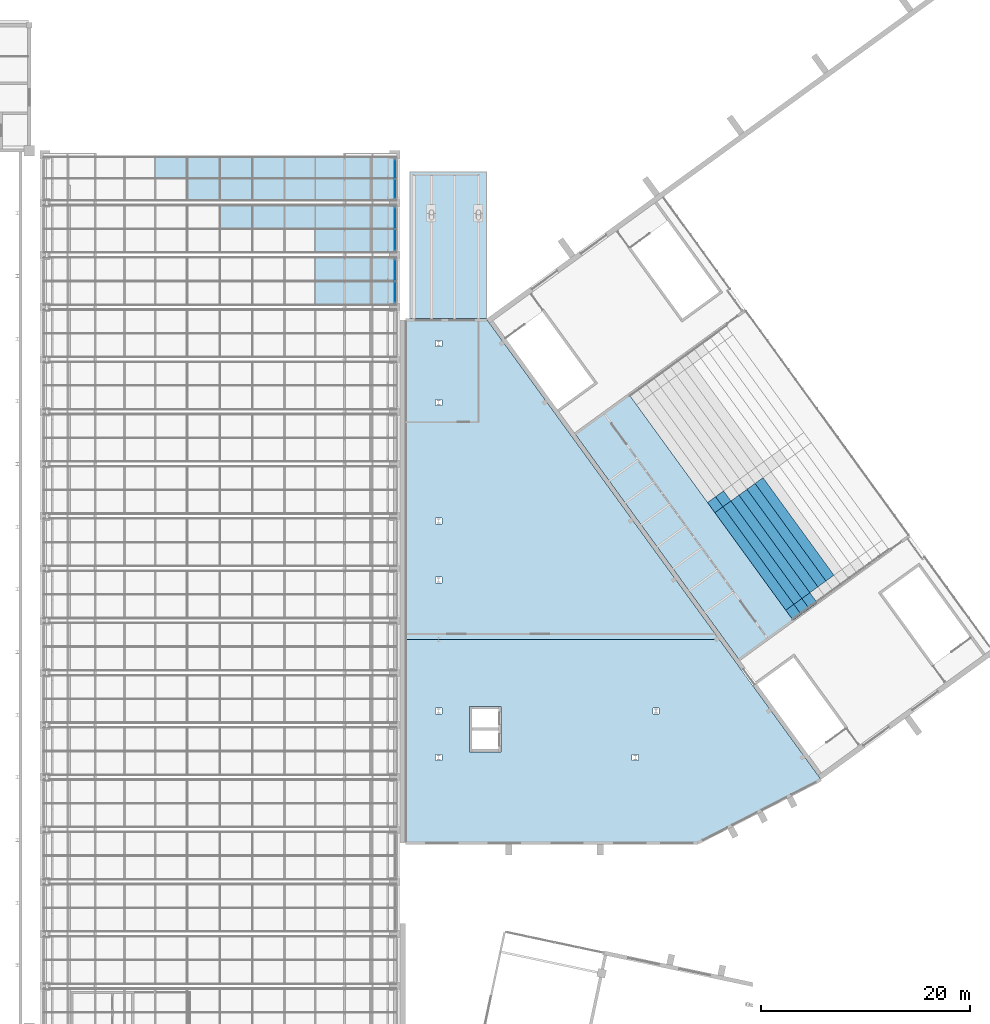
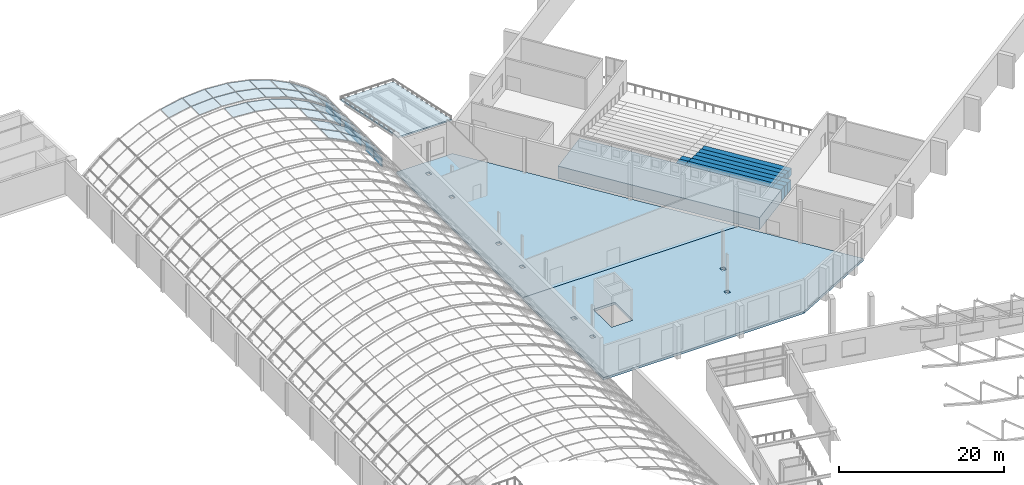
# One storey, part 117 of 182: 36 plates, 15 slabs, 6 elements without a shape of their own.
"""IFC4 building model written with IfcOpenShell, lengths in metres."""

from ifc_helpers import new_model, si_unit, direction, frame, origin, origin_2d, place, context, subcontext, project, spatial, polyline, rectangle, outline, extrude, material, layer, layer_set, type_object, element, aggregate, save


model = new_model("IFC4")

# Units and contexts
model_context = context("Model", 3, precision=1e-05, world=origin(), true_north=direction((0.0, 1.0)))
body_context = subcontext(model_context, "Body", "Model", "MODEL_VIEW")
ifc_project = project(units=[si_unit("LENGTHUNIT", "METRE"), si_unit("AREAUNIT", "SQUARE_METRE"), si_unit("VOLUMEUNIT", "CUBIC_METRE"), si_unit("PLANEANGLEUNIT", "RADIAN"), si_unit("MASSUNIT", "GRAM", prefix="KILO")], contexts=[model_context])

# Site, building, storey
site_placement = place(None, origin())
site = spatial("IfcSite", under=ifc_project, at=site_placement, CompositionType="ELEMENT")
building_placement = place(site_placement, origin())
building = spatial("IfcBuilding", under=site, at=building_placement, Name="Okhra Congress Centre", CompositionType="ELEMENT")
storey_placement = place(building_placement, frame((0.0, 0.0, 7.199951171875)))
storey = spatial("IfcBuildingStorey", under=building, at=storey_placement, Name="L01", CompositionType="ELEMENT", Elevation=7.199951171875)

# Curtain wall, plates
ifc_material_1 = material(Name="Aluminium curtain wall, triple glazing", Category="aluminium")
curtain_wall_type_1 = type_object("IfcCurtainWallType", Name="Curtain wall 2100 module", PredefinedType="NOTDEFINED", material=ifc_material_1)
curtain_wall_1_placement = place(storey_placement, origin())
curtain_wall_1 = element("IfcCurtainWall", 1, at=curtain_wall_1_placement, inside=storey, type_object=curtain_wall_type_1, Name="East bay 7 clerestory glazing", PredefinedType="NOTDEFINED")
ifc_material_2 = material(Name="Triple glazing unit, low-e coating, argon fill", Category="glass")
ifc_layer_1 = layer(ifc_material_2, 0.028076171875)
ifc_layer_set_1 = layer_set([ifc_layer_1], Name="Curtain wall glazing unit 28")
plate_type_1 = type_object("IfcPlateType", Name="Curtain wall glazing unit 28", PredefinedType="CURTAIN_PANEL", material=ifc_layer_set_1)
plate_1_placement = place(storey_placement, frame((189.0, 202.465087890625, 0.06005859375), z_axis=(0.0, 0.0, 1.0), x_axis=(0.0, 1.0, 0.0)))
plate_1 = element("IfcPlate", 2, at=plate_1_placement, type_object=plate_type_1, Name="CW4 panel 1.1", PredefinedType="CURTAIN_PANEL", context=body_context, shape_type="SweptSolid", body=[
    extrude(rectangle(XDim=2.010009765625, YDim=0.028076171875, at=origin_2d()), origin(), (0.0, 0.0, 1.0), 1.3798828125),
])
plate_2_placement = place(storey_placement, frame((189.0, 204.534912109375, 0.06005859375), z_axis=(0.0, 0.0, 1.0), x_axis=(0.0, 1.0, 0.0)))
plate_2 = element("IfcPlate", 3, at=plate_2_placement, type_object=plate_type_1, Name="CW4 panel 2.1", PredefinedType="CURTAIN_PANEL", context=body_context, shape_type="SweptSolid", body=[
    extrude(rectangle(XDim=2.010009765625, YDim=0.028076171875, at=origin_2d()), origin(), (0.0, 0.0, 1.0), 1.3798828125),
])
aggregate(curtain_wall_1, [plate_1, plate_2])

curtain_wall_2_placement = place(storey_placement, origin())
curtain_wall_2 = element("IfcCurtainWall", 4, at=curtain_wall_2_placement, inside=storey, type_object=curtain_wall_type_1, Name="East bay 8 clerestory glazing", PredefinedType="NOTDEFINED")
plate_3_placement = place(storey_placement, frame((189.0, 207.465087890625, 0.06005859375), z_axis=(0.0, 0.0, 1.0), x_axis=(0.0, 1.0, 0.0)))
plate_3 = element("IfcPlate", 5, at=plate_3_placement, type_object=plate_type_1, Name="CW4 panel 1.1", PredefinedType="CURTAIN_PANEL", context=body_context, shape_type="SweptSolid", body=[
    extrude(rectangle(XDim=2.010009765625, YDim=0.028076171875, at=origin_2d()), origin(), (0.0, 0.0, 1.0), 1.3798828125),
])
plate_4_placement = place(storey_placement, frame((189.0, 209.534912109375, 0.06005859375), z_axis=(0.0, 0.0, 1.0), x_axis=(0.0, 1.0, 0.0)))
plate_4 = element("IfcPlate", 6, at=plate_4_placement, type_object=plate_type_1, Name="CW4 panel 2.1", PredefinedType="CURTAIN_PANEL", context=body_context, shape_type="SweptSolid", body=[
    extrude(rectangle(XDim=2.010009765625, YDim=0.028076171875, at=origin_2d()), origin(), (0.0, 0.0, 1.0), 1.3798828125),
])
aggregate(curtain_wall_2, [plate_3, plate_4])

curtain_wall_3_placement = place(storey_placement, origin())
curtain_wall_3 = element("IfcCurtainWall", 7, at=curtain_wall_3_placement, inside=storey, type_object=curtain_wall_type_1, Name="East bay 9 clerestory glazing", PredefinedType="NOTDEFINED")
plate_5_placement = place(storey_placement, frame((189.0, 212.364990234375, 0.06005859375), z_axis=(0.0, 0.0, 1.0), x_axis=(0.0, 1.0, 0.0)))
plate_5 = element("IfcPlate", 8, at=plate_5_placement, type_object=plate_type_1, Name="CW4 panel 1.1", PredefinedType="CURTAIN_PANEL", context=body_context, shape_type="SweptSolid", body=[
    extrude(rectangle(XDim=1.81005859375, YDim=0.028076171875, at=origin_2d()), origin(), (0.0, 0.0, 1.0), 1.3798828125),
])
plate_6_placement = place(storey_placement, frame((189.0, 214.235107421875, 0.06005859375), z_axis=(0.0, 0.0, 1.0), x_axis=(0.0, 1.0, 0.0)))
plate_6 = element("IfcPlate", 9, at=plate_6_placement, type_object=plate_type_1, Name="CW4 panel 2.1", PredefinedType="CURTAIN_PANEL", context=body_context, shape_type="SweptSolid", body=[
    extrude(rectangle(XDim=1.81005859375, YDim=0.028076171875, at=origin_2d()), origin(), (0.0, 0.0, 1.0), 1.3798828125),
])
aggregate(curtain_wall_3, [plate_5, plate_6])

# Slab
ifc_material_3 = material(Name="Insulated metal roof panel (mineral wool core), standing seam")
ifc_layer_2 = layer(ifc_material_3, 0.199951171875)
ifc_layer_set_2 = layer_set([ifc_layer_2], Name="Insulated roof panel 200")
slab_type_1 = type_object("IfcSlabType", Name="Insulated roof panel 200", PredefinedType="ROOF", material=ifc_layer_set_2)
slab_1_placement = place(storey_placement, frame((190.39990234375, 199.93994140625, 4.96826171875), z_axis=(0.0, 0.207909539471, 0.978148058014), x_axis=(1.0, 0.0, 0.0)))
element("IfcSlab", 10, at=slab_1_placement, inside=storey, type_object=slab_type_1, Name="North canopy roof plane", PredefinedType="ROOF", context=body_context, shape_type="SweptSolid", body=[
    extrude(outline(polyline([(0.0, 0.0), (7.400146484375, 0.0), (7.400146484375, 14.374161946704701), (0.0, 14.374161946704701), (0.0, 0.0)])), origin(), (0.0, 0.0, -1.0), 0.199951171875),
])

# Curtain wall, plates
ifc_material_4 = material(Name="Aluminium frame with triple glazing", Category="aluminium")
curtain_wall_type_2 = type_object("IfcCurtainWallType", Name="Glazed vault bay curtain wall", PredefinedType="NOTDEFINED", material=ifc_material_4)
curtain_wall_4_placement = place(storey_placement, origin())
curtain_wall_4 = element("IfcCurtainWall", 11, at=curtain_wall_4_placement, inside=storey, type_object=curtain_wall_type_2, Name="Vault glazing bay 26", PredefinedType="NOTDEFINED")
ifc_material_5 = material(Name="Laminated toughened glass unit, low-e coating", Category="glass")
ifc_layer_3 = layer(ifc_material_5, 0.035888671875)
ifc_layer_set_3 = layer_set([ifc_layer_3], Name="Laminated safety glazing unit 36 mm")
plate_type_2 = type_object("IfcPlateType", Name="Laminated safety glazing unit 36 mm", PredefinedType="CURTAIN_PANEL", material=ifc_layer_set_3)
plate_7_placement = place(storey_placement, frame((184.217529296875, 201.26318359375, 5.729248046875), z_axis=(0.55946738617, 0.0, 0.82885236551), x_axis=(0.82885236551, 0.0, -0.55946738617)))
plate_7 = element("IfcPlate", 12, at=plate_7_placement, type_object=plate_type_2, Name="Vault glass panel 26.1.11", PredefinedType="CURTAIN_PANEL", context=body_context, shape_type="SweptSolid", body=[
    extrude(outline(polyline([(0.0, 0.0), (3.0668817430899797, 0.0), (3.0668817430899797, 2.206787109375), (0.0, 2.206787109375), (0.0, 0.0)])), origin(), (0.0, 0.0, -1.0), 0.035888671875),
])
plate_8_placement = place(storey_placement, frame((186.806640625, 201.26318359375, 3.976806640625), z_axis=(0.663696509452, 0.0, 0.748001967472), x_axis=(0.748001967472, 0.0, -0.663696509452)))
plate_8 = element("IfcPlate", 13, at=plate_8_placement, type_object=plate_type_2, Name="Vault glass panel 26.1.12", PredefinedType="CURTAIN_PANEL", context=body_context, shape_type="SweptSolid", body=[
    extrude(outline(polyline([(0.0, 0.0), (3.066763741617069, 0.0), (3.066763741617069, 2.206787109375), (0.0, 2.206787109375), (0.0, 0.0)])), origin(), (0.0, 0.0, -1.0), 0.035888671875),
])
plate_9_placement = place(storey_placement, frame((184.217529296875, 203.530029296875, 5.729248046875), z_axis=(0.55946738617, 0.0, 0.82885236551), x_axis=(0.82885236551, 0.0, -0.55946738617)))
plate_9 = element("IfcPlate", 14, at=plate_9_placement, type_object=plate_type_2, Name="Vault glass panel 26.2.11", PredefinedType="CURTAIN_PANEL", context=body_context, shape_type="SweptSolid", body=[
    extrude(outline(polyline([(0.0, 0.0), (3.0668817430899797, 0.0), (3.0668817430899797, 2.206787109375), (0.0, 2.206787109375), (0.0, 0.0)])), origin(), (0.0, 0.0, -1.0), 0.035888671875),
])
plate_10_placement = place(storey_placement, frame((186.806640625, 203.530029296875, 3.976806640625), z_axis=(0.663696509452, 0.0, 0.748001967472), x_axis=(0.748001967472, 0.0, -0.663696509452)))
plate_10 = element("IfcPlate", 15, at=plate_10_placement, type_object=plate_type_2, Name="Vault glass panel 26.2.12", PredefinedType="CURTAIN_PANEL", context=body_context, shape_type="SweptSolid", body=[
    extrude(outline(polyline([(0.0, 0.0), (3.066763741617069, 0.0), (3.066763741617069, 2.206787109375), (0.0, 2.206787109375), (0.0, 0.0)])), origin(), (0.0, 0.0, -1.0), 0.035888671875),
])

curtain_wall_5_placement = place(storey_placement, origin())
curtain_wall_5 = element("IfcCurtainWall", 16, at=curtain_wall_5_placement, inside=storey, type_object=curtain_wall_type_2, Name="Vault glazing bay 27", PredefinedType="NOTDEFINED")
plate_11_placement = place(storey_placement, frame((184.217529296875, 206.26318359375, 5.729248046875), z_axis=(0.55946738617, 0.0, 0.82885236551), x_axis=(0.82885236551, 0.0, -0.55946738617)))
plate_11 = element("IfcPlate", 17, at=plate_11_placement, type_object=plate_type_2, Name="Vault glass panel 27.1.11", PredefinedType="CURTAIN_PANEL", context=body_context, shape_type="SweptSolid", body=[
    extrude(outline(polyline([(0.0, 0.0), (3.0668817430899797, 0.0), (3.0668817430899797, 2.206787109375), (0.0, 2.206787109375), (0.0, 0.0)])), origin(), (0.0, 0.0, -1.0), 0.035888671875),
])
plate_12_placement = place(storey_placement, frame((186.806640625, 206.26318359375, 3.976806640625), z_axis=(0.663696509452, 0.0, 0.748001967472), x_axis=(0.748001967472, 0.0, -0.663696509452)))
plate_12 = element("IfcPlate", 18, at=plate_12_placement, type_object=plate_type_2, Name="Vault glass panel 27.1.12", PredefinedType="CURTAIN_PANEL", context=body_context, shape_type="SweptSolid", body=[
    extrude(outline(polyline([(0.0, 0.0), (3.066763741617069, 0.0), (3.066763741617069, 2.206787109375), (0.0, 2.206787109375), (0.0, 0.0)])), origin(), (0.0, 0.0, -1.0), 0.035888671875),
])
plate_13_placement = place(storey_placement, frame((184.217529296875, 208.530029296875, 5.729248046875), z_axis=(0.55946738617, 0.0, 0.82885236551), x_axis=(0.82885236551, 0.0, -0.55946738617)))
plate_13 = element("IfcPlate", 19, at=plate_13_placement, type_object=plate_type_2, Name="Vault glass panel 27.2.11", PredefinedType="CURTAIN_PANEL", context=body_context, shape_type="SweptSolid", body=[
    extrude(outline(polyline([(0.0, 0.0), (3.0668817430899797, 0.0), (3.0668817430899797, 2.206787109375), (0.0, 2.206787109375), (0.0, 0.0)])), origin(), (0.0, 0.0, -1.0), 0.035888671875),
])
plate_14_placement = place(storey_placement, frame((186.806640625, 208.530029296875, 3.976806640625), z_axis=(0.663696509452, 0.0, 0.748001967472), x_axis=(0.748001967472, 0.0, -0.663696509452)))
plate_14 = element("IfcPlate", 20, at=plate_14_placement, type_object=plate_type_2, Name="Vault glass panel 27.2.12", PredefinedType="CURTAIN_PANEL", context=body_context, shape_type="SweptSolid", body=[
    extrude(outline(polyline([(0.0, 0.0), (3.066763741617069, 0.0), (3.066763741617069, 2.206787109375), (0.0, 2.206787109375), (0.0, 0.0)])), origin(), (0.0, 0.0, -1.0), 0.035888671875),
])

curtain_wall_6_placement = place(storey_placement, origin())
curtain_wall_6 = element("IfcCurtainWall", 21, at=curtain_wall_6_placement, inside=storey, type_object=curtain_wall_type_2, Name="Vault glazing bay 28", PredefinedType="NOTDEFINED")
plate_15_placement = place(storey_placement, frame((184.217529296875, 211.26318359375, 5.729248046875), z_axis=(0.55946738617, 0.0, 0.82885236551), x_axis=(0.82885236551, 0.0, -0.55946738617)))
plate_15 = element("IfcPlate", 22, at=plate_15_placement, type_object=plate_type_2, Name="Vault glass panel 28.1.11", PredefinedType="CURTAIN_PANEL", context=body_context, shape_type="SweptSolid", body=[
    extrude(outline(polyline([(0.0, 0.0), (3.0668817430899797, 0.0), (3.0668817430899797, 2.02734375), (0.0, 2.02734375), (0.0, 0.0)])), origin(), (0.0, 0.0, -1.0), 0.035888671875),
])
plate_16_placement = place(storey_placement, frame((186.806640625, 211.26318359375, 3.976806640625), z_axis=(0.663696509452, 0.0, 0.748001967472), x_axis=(0.748001967472, 0.0, -0.663696509452)))
plate_16 = element("IfcPlate", 23, at=plate_16_placement, type_object=plate_type_2, Name="Vault glass panel 28.1.12", PredefinedType="CURTAIN_PANEL", context=body_context, shape_type="SweptSolid", body=[
    extrude(outline(polyline([(0.0, 0.0), (3.066763741617069, 0.0), (3.066763741617069, 2.02734375), (0.0, 2.02734375), (0.0, 0.0)])), origin(), (0.0, 0.0, -1.0), 0.035888671875),
])
plate_17_placement = place(storey_placement, frame((184.217529296875, 213.3505859375, 5.729248046875), z_axis=(0.55946738617, 0.0, 0.82885236551), x_axis=(0.82885236551, 0.0, -0.55946738617)))
plate_17 = element("IfcPlate", 24, at=plate_17_placement, type_object=plate_type_2, Name="Vault glass panel 28.2.11", PredefinedType="CURTAIN_PANEL", context=body_context, shape_type="SweptSolid", body=[
    extrude(outline(polyline([(0.0, 0.0), (3.0668817430899797, 0.0), (3.0668817430899797, 2.02734375), (0.0, 2.02734375), (0.0, 0.0)])), origin(), (0.0, 0.0, -1.0), 0.035888671875),
])
plate_18_placement = place(storey_placement, frame((186.806640625, 213.3505859375, 3.976806640625), z_axis=(0.663696509452, 0.0, 0.748001967472), x_axis=(0.748001967472, 0.0, -0.663696509452)))
plate_18 = element("IfcPlate", 25, at=plate_18_placement, type_object=plate_type_2, Name="Vault glass panel 28.2.12", PredefinedType="CURTAIN_PANEL", context=body_context, shape_type="SweptSolid", body=[
    extrude(outline(polyline([(0.0, 0.0), (3.066763741617069, 0.0), (3.066763741617069, 2.02734375), (0.0, 2.02734375), (0.0, 0.0)])), origin(), (0.0, 0.0, -1.0), 0.035888671875),
])

# Slabs
ifc_material_6 = material(Name="Precast concrete C40/50", Category="concrete")
slab_type_2 = type_object("IfcSlabType", Name="Precast RC balcony aisle step unit C40/50", PredefinedType="FLOOR", material=ifc_material_6)
slab_2_placement = place(storey_placement, origin())
element("IfcSlab", 26, at=slab_2_placement, inside=storey, type_object=slab_type_2, Name="Balcony aisle step unit 10.1", PredefinedType="FLOOR", context=body_context, shape_type="SweptSolid", body=[
    extrude(outline(polyline([(228.663818359375, 172.148193359375), (229.432373046875, 172.70654296875), (228.72705078125, 173.67724609375), (227.95849609375, 173.118896484375), (228.663818359375, 172.148193359375)])), origin(), (0.0, 0.0, 1.0), 1.5),
])
slab_3_placement = place(storey_placement, origin())
element("IfcSlab", 27, at=slab_3_placement, inside=storey, type_object=slab_type_2, Name="Balcony aisle step unit 11.1", PredefinedType="FLOOR", context=body_context, shape_type="SweptSolid", body=[
    extrude(outline(polyline([(227.895263671875, 171.58984375), (228.663818359375, 172.148193359375), (227.95849609375, 173.118896484375), (227.18994140625, 172.560546875), (227.895263671875, 171.58984375)])), origin(), (0.0, 0.0, 1.0), 1.650146484375),
])
slab_4_placement = place(storey_placement, origin())
element("IfcSlab", 28, at=slab_4_placement, inside=storey, type_object=slab_type_2, Name="Balcony aisle step unit 11.3", PredefinedType="FLOOR", context=body_context, shape_type="SweptSolid", body=[
    extrude(outline(polyline([(220.401123046875, 181.90478515625), (221.169677734375, 182.463134765625), (220.46435546875, 183.433837890625), (219.69580078125, 182.87548828125), (220.401123046875, 181.90478515625)])), origin(), (0.0, 0.0, 1.0), 1.650146484375),
])
slab_5_placement = place(storey_placement, origin())
element("IfcSlab", 29, at=slab_5_placement, inside=storey, type_object=slab_type_2, Name="Balcony aisle step unit 12.1", PredefinedType="FLOOR", context=body_context, shape_type="SweptSolid", body=[
    extrude(outline(polyline([(227.126708984375, 171.03125), (227.895263671875, 171.58984375), (227.18994140625, 172.560546875), (226.42138671875, 172.002197265625), (227.126708984375, 171.03125)])), origin(), (0.0, 0.0, 1.0), 1.800048828125),
])
slab_6_placement = place(storey_placement, origin())
element("IfcSlab", 30, at=slab_6_placement, inside=storey, type_object=slab_type_2, Name="Balcony aisle step unit 12.3", PredefinedType="FLOOR", context=body_context, shape_type="SweptSolid", body=[
    extrude(outline(polyline([(219.632568359375, 181.346435546875), (220.401123046875, 181.90478515625), (219.69580078125, 182.87548828125), (218.92724609375, 182.317138671875), (219.632568359375, 181.346435546875)])), origin(), (0.0, 0.0, 1.0), 1.800048828125),
])
ifc_material_7 = material(Name="Precast concrete C35/45", Category="concrete")
slab_type_3 = type_object("IfcSlabType", Name="Precast RC balcony seat-row step unit C35/45", PredefinedType="FLOOR", material=ifc_material_7)
slab_7_placement = place(storey_placement, origin())
element("IfcSlab", 31, at=slab_7_placement, inside=storey, type_object=slab_type_3, Name="Balcony seat-row step unit 7.2", PredefinedType="FLOOR", context=body_context, shape_type="SweptSolid", body=[
    extrude(outline(polyline([(230.26416015625, 174.794189453125), (231.03271484375, 175.3525390625), (224.243896484375, 184.69677734375), (223.475341796875, 184.13818359375), (230.26416015625, 174.794189453125)])), origin(), (0.0, 0.0, 1.0), 1.050048828125),
])
slab_8_placement = place(storey_placement, origin())
element("IfcSlab", 32, at=slab_8_placement, inside=storey, type_object=slab_type_3, Name="Balcony seat-row step unit 8.2", PredefinedType="FLOOR", context=body_context, shape_type="SweptSolid", body=[
    extrude(outline(polyline([(229.49560546875, 174.23583984375), (230.26416015625, 174.794189453125), (223.475341796875, 184.13818359375), (222.706787109375, 183.579833984375), (229.49560546875, 174.23583984375)])), origin(), (0.0, 0.0, 1.0), 1.199951171875),
])
slab_9_placement = place(storey_placement, origin())
element("IfcSlab", 33, at=slab_9_placement, inside=storey, type_object=slab_type_3, Name="Balcony seat-row step unit 9.2", PredefinedType="FLOOR", context=body_context, shape_type="SweptSolid", body=[
    extrude(outline(polyline([(228.72705078125, 173.67724609375), (229.49560546875, 174.23583984375), (222.706787109375, 183.579833984375), (221.938232421875, 183.021484375), (228.72705078125, 173.67724609375)])), origin(), (0.0, 0.0, 1.0), 1.35009765625),
])
slab_10_placement = place(storey_placement, origin())
element("IfcSlab", 34, at=slab_10_placement, inside=storey, type_object=slab_type_3, Name="Balcony seat-row step unit 10.2", PredefinedType="FLOOR", context=body_context, shape_type="SweptSolid", body=[
    extrude(outline(polyline([(227.95849609375, 173.118896484375), (228.72705078125, 173.67724609375), (221.938232421875, 183.021484375), (221.169677734375, 182.463134765625), (227.95849609375, 173.118896484375)])), origin(), (0.0, 0.0, 1.0), 1.5),
])
slab_11_placement = place(storey_placement, origin())
element("IfcSlab", 35, at=slab_11_placement, inside=storey, type_object=slab_type_3, Name="Balcony seat-row step unit 11.2", PredefinedType="FLOOR", context=body_context, shape_type="SweptSolid", body=[
    extrude(outline(polyline([(227.18994140625, 172.560546875), (227.95849609375, 173.118896484375), (221.169677734375, 182.463134765625), (220.401123046875, 181.90478515625), (227.18994140625, 172.560546875)])), origin(), (0.0, 0.0, 1.0), 1.650146484375),
])
slab_12_placement = place(storey_placement, origin())
element("IfcSlab", 36, at=slab_12_placement, inside=storey, type_object=slab_type_3, Name="Balcony seat-row step unit 12.2", PredefinedType="FLOOR", context=body_context, shape_type="SweptSolid", body=[
    extrude(outline(polyline([(226.42138671875, 172.002197265625), (227.18994140625, 172.560546875), (220.401123046875, 181.90478515625), (219.632568359375, 181.346435546875), (226.42138671875, 172.002197265625)])), origin(), (0.0, 0.0, 1.0), 1.800048828125),
])
slab_type_4 = type_object("IfcSlabType", Name="Precast RC rear platform unit C35/45", PredefinedType="FLOOR", material=ifc_material_7)
slab_13_placement = place(storey_placement, origin())
element("IfcSlab", 37, at=slab_13_placement, inside=storey, type_object=slab_type_4, Name="Balcony rear platform", PredefinedType="FLOOR", context=body_context, shape_type="SweptSolid", body=[
    extrude(outline(polyline([(221.948974609375, 167.26953125), (227.126708984375, 171.03125), (211.432861328125, 192.632080078125), (206.255126953125, 188.870361328125), (221.948974609375, 167.26953125)])), origin(), (0.0, 0.0, 1.0), 1.800048828125),
])
ifc_material_8 = material(Name="Concrete C30/37", Category="concrete")
ifc_layer_4 = layer(ifc_material_8, 0.300048828125)
ifc_layer_set_4 = layer_set([ifc_layer_4], Name="RC floor slab 300 REI 120 C30/37")
slab_type_5 = type_object("IfcSlabType", Name="RC floor slab 300 REI 120 C30/37", PredefinedType="FLOOR", material=ifc_layer_set_4)
slab_14_placement = place(storey_placement, frame((0.0, 0.0, -0.300048828125)))
element("IfcSlab", 38, at=slab_14_placement, inside=storey, type_object=slab_type_5, Name="Delegates' lounge floor slab", PredefinedType="FLOOR", context=body_context, shape_type="SweptSolid", body=[
    extrude(outline(polyline([(190.0, 169.219970703125), (220.03759765625, 169.219970703125), (197.8271484375, 199.7900390625), (190.0, 199.7900390625), (190.0, 169.219970703125)]), holes=[polyline([(192.89990234375, 174.590087890625), (193.5, 174.590087890625), (193.5, 175.18994140625), (192.89990234375, 175.18994140625), (192.89990234375, 174.590087890625)]), polyline([(192.89990234375, 180.25), (193.5, 180.25), (193.5, 180.85009765625), (192.89990234375, 180.85009765625), (192.89990234375, 180.25)]), polyline([(192.89990234375, 191.580078125), (193.5, 191.580078125), (193.5, 192.179931640625), (192.89990234375, 192.179931640625), (192.89990234375, 191.580078125)]), polyline([(192.89990234375, 197.239990234375), (193.5, 197.239990234375), (193.5, 197.840087890625), (192.89990234375, 197.840087890625), (192.89990234375, 197.239990234375)])]), origin(), (0.0, 0.0, 1.0), 0.300048828125),
])
ifc_material_9 = material(Name="Concrete C35/45", Category="concrete")
ifc_layer_5 = layer(ifc_material_9, 0.35009765625)
ifc_layer_set_5 = layer_set([ifc_layer_5], Name="RC floor slab 350 REI 120 C35/45")
slab_type_6 = type_object("IfcSlabType", Name="RC floor slab 350 REI 120 C35/45", PredefinedType="FLOOR", material=ifc_layer_set_5)
slab_15_placement = place(storey_placement, frame((0.0, 0.0, -0.349853515625)))
element("IfcSlab", 39, at=slab_15_placement, inside=storey, type_object=slab_type_6, Name="Balcony foyer slab", PredefinedType="FLOOR", context=body_context, shape_type="SweptSolid", body=[
    extrude(outline(polyline([(190.0, 149.72998046875), (218.0, 149.72998046875), (229.795654296875, 155.7890625), (220.03759765625, 169.219970703125), (190.0, 169.219970703125), (190.0, 149.72998046875)]), holes=[polyline([(196.14990234375, 158.449951171875), (199.14990234375, 158.449951171875), (199.14990234375, 162.800048828125), (196.14990234375, 162.800048828125), (196.14990234375, 158.449951171875)]), polyline([(192.89990234375, 157.60009765625), (193.5, 157.60009765625), (193.5, 158.199951171875), (192.89990234375, 158.199951171875), (192.89990234375, 157.60009765625)]), polyline([(192.89990234375, 162.050048828125), (193.5, 162.050048828125), (193.5, 162.64990234375), (192.89990234375, 162.64990234375), (192.89990234375, 162.050048828125)]), polyline([(211.699951171875, 157.60009765625), (212.300048828125, 157.60009765625), (212.300048828125, 158.199951171875), (211.699951171875, 158.199951171875), (211.699951171875, 157.60009765625)]), polyline([(213.699951171875, 162.050048828125), (214.300048828125, 162.050048828125), (214.300048828125, 162.64990234375), (213.699951171875, 162.64990234375), (213.699951171875, 162.050048828125)])]), origin(), (0.0, 0.0, 1.0), 0.349853515625),
])

# Plate
ifc_material_10 = material(Name="Toughened triple glazed unit")
ifc_layer_6 = layer(ifc_material_10, 0.028076171875)
ifc_layer_set_6 = layer_set([ifc_layer_6], Name="Triple glazed unit 28 mm")
plate_type_3 = type_object("IfcPlateType", Name="Triple glazed unit 28 mm", PredefinedType="CURTAIN_PANEL", material=ifc_layer_set_6)
plate_19_placement = place(storey_placement, frame((181.4189453125, 201.26318359375, 7.122314453125), z_axis=(0.445588482535, 0.0, 0.895237903706), x_axis=(0.895237903706, 0.0, -0.445588482535)))
plate_19 = element("IfcPlate", 40, at=plate_19_placement, type_object=plate_type_3, Name="Vault glass panel 26.1.10", PredefinedType="CURTAIN_PANEL", context=body_context, shape_type="SweptSolid", body=[
    extrude(outline(polyline([(0.0, 0.0), (3.066082250887193, 0.0), (3.066082250887193, 2.206787109375), (0.0, 2.206787109375), (0.0, 0.0)])), origin(), (0.0, 0.0, -1.0), 0.028076171875),
])

plate_20_placement = place(storey_placement, frame((181.4189453125, 203.530029296875, 7.122314453125), z_axis=(0.445588482535, 0.0, 0.895237903706), x_axis=(0.895237903706, 0.0, -0.445588482535)))
plate_20 = element("IfcPlate", 41, at=plate_20_placement, type_object=plate_type_3, Name="Vault glass panel 26.2.10", PredefinedType="CURTAIN_PANEL", context=body_context, shape_type="SweptSolid", body=[
    extrude(outline(polyline([(0.0, 0.0), (3.066082250887193, 0.0), (3.066082250887193, 2.206787109375), (0.0, 2.206787109375), (0.0, 0.0)])), origin(), (0.0, 0.0, -1.0), 0.028076171875),
])

aggregate(curtain_wall_4, [plate_19, plate_7, plate_8, plate_20, plate_9, plate_10])

plate_21_placement = place(storey_placement, frame((181.4189453125, 206.26318359375, 7.122314453125), z_axis=(0.445588482535, 0.0, 0.895237903706), x_axis=(0.895237903706, 0.0, -0.445588482535)))
plate_21 = element("IfcPlate", 42, at=plate_21_placement, type_object=plate_type_3, Name="Vault glass panel 27.1.10", PredefinedType="CURTAIN_PANEL", context=body_context, shape_type="SweptSolid", body=[
    extrude(outline(polyline([(0.0, 0.0), (3.066082250887193, 0.0), (3.066082250887193, 2.206787109375), (0.0, 2.206787109375), (0.0, 0.0)])), origin(), (0.0, 0.0, -1.0), 0.028076171875),
])

plate_22_placement = place(storey_placement, frame((172.280029296875, 208.530029296875, 8.967041015625), z_axis=(0.065932355807, 0.0, 0.997824094947), x_axis=(0.997824094947, 0.0, -0.065932355807)))
plate_22 = element("IfcPlate", 43, at=plate_22_placement, type_object=plate_type_3, Name="Vault glass panel 27.2.7", PredefinedType="CURTAIN_PANEL", context=body_context, shape_type="SweptSolid", body=[
    extrude(outline(polyline([(0.0, 0.0), (3.0659974913073613, 0.0), (3.0659974913073613, 2.2067871093750004), (0.0, 2.2067871093750004), (0.0, 0.0)])), origin(), (0.0, 0.0, -1.0), 0.028076171875),
])

plate_23_placement = place(storey_placement, frame((175.398681640625, 208.530029296875, 8.757080078125), z_axis=(0.196667336174, 0.0, 0.980470274349), x_axis=(0.980470274349, 0.0, -0.196667336174)))
plate_23 = element("IfcPlate", 44, at=plate_23_placement, type_object=plate_type_3, Name="Vault glass panel 27.2.8", PredefinedType="CURTAIN_PANEL", context=body_context, shape_type="SweptSolid", body=[
    extrude(outline(polyline([(0.0, 0.0), (3.0662302926476426, 0.0), (3.0662302926476426, 2.206787109375), (0.0, 2.206787109375), (0.0, 0.0)])), origin(), (0.0, 0.0, -1.0), 0.028076171875),
])

plate_24_placement = place(storey_placement, frame((178.462890625, 208.530029296875, 8.138427734375), z_axis=(0.323909017048, 0.0, 0.946088235143), x_axis=(0.946088235143, 0.0, -0.323909017048)))
plate_24 = element("IfcPlate", 45, at=plate_24_placement, type_object=plate_type_3, Name="Vault glass panel 27.2.9", PredefinedType="CURTAIN_PANEL", context=body_context, shape_type="SweptSolid", body=[
    extrude(outline(polyline([(0.0, 0.0), (3.0661822000278622, 0.0), (3.0661822000278622, 2.2067871093750004), (0.0, 2.2067871093750004), (0.0, 0.0)])), origin(), (0.0, 0.0, -1.0), 0.028076171875),
])

plate_25_placement = place(storey_placement, frame((181.4189453125, 208.530029296875, 7.122314453125), z_axis=(0.445588482535, 0.0, 0.895237903706), x_axis=(0.895237903706, 0.0, -0.445588482535)))
plate_25 = element("IfcPlate", 46, at=plate_25_placement, type_object=plate_type_3, Name="Vault glass panel 27.2.10", PredefinedType="CURTAIN_PANEL", context=body_context, shape_type="SweptSolid", body=[
    extrude(outline(polyline([(0.0, 0.0), (3.066082250887193, 0.0), (3.066082250887193, 2.206787109375), (0.0, 2.206787109375), (0.0, 0.0)])), origin(), (0.0, 0.0, -1.0), 0.028076171875),
])

aggregate(curtain_wall_5, [plate_21, plate_11, plate_12, plate_22, plate_23, plate_24, plate_25, plate_13, plate_14])

plate_26_placement = place(storey_placement, frame((169.16064453125, 211.26318359375, 8.764892578125), z_axis=(-0.065932355807, 0.0, 0.997824094947), x_axis=(0.997824094947, 0.0, 0.065932355807)))
plate_26 = element("IfcPlate", 47, at=plate_26_placement, type_object=plate_type_3, Name="Vault glass panel 28.1.6", PredefinedType="CURTAIN_PANEL", context=body_context, shape_type="SweptSolid", body=[
    extrude(outline(polyline([(0.0, 0.0), (3.0659974913073613, 0.0), (3.0659974913073613, 2.02734375), (0.0, 2.02734375), (0.0, 0.0)])), origin(), (0.0, 0.0, -1.0), 0.028076171875),
])

plate_27_placement = place(storey_placement, frame((172.280029296875, 211.26318359375, 8.967041015625), z_axis=(0.065932355807, 0.0, 0.997824094947), x_axis=(0.997824094947, 0.0, -0.065932355807)))
plate_27 = element("IfcPlate", 48, at=plate_27_placement, type_object=plate_type_3, Name="Vault glass panel 28.1.7", PredefinedType="CURTAIN_PANEL", context=body_context, shape_type="SweptSolid", body=[
    extrude(outline(polyline([(0.0, 0.0), (3.0659974913073613, 0.0), (3.0659974913073613, 2.02734375), (0.0, 2.02734375), (0.0, 0.0)])), origin(), (0.0, 0.0, -1.0), 0.028076171875),
])

plate_28_placement = place(storey_placement, frame((175.398681640625, 211.26318359375, 8.757080078125), z_axis=(0.196667336174, 0.0, 0.980470274349), x_axis=(0.980470274349, 0.0, -0.196667336174)))
plate_28 = element("IfcPlate", 49, at=plate_28_placement, type_object=plate_type_3, Name="Vault glass panel 28.1.8", PredefinedType="CURTAIN_PANEL", context=body_context, shape_type="SweptSolid", body=[
    extrude(outline(polyline([(0.0, 0.0), (3.0662302926476426, 0.0), (3.0662302926476426, 2.02734375), (0.0, 2.02734375), (0.0, 0.0)])), origin(), (0.0, 0.0, -1.0), 0.028076171875),
])

plate_29_placement = place(storey_placement, frame((178.462890625, 211.26318359375, 8.138427734375), z_axis=(0.323909017048, 0.0, 0.946088235143), x_axis=(0.946088235143, 0.0, -0.323909017048)))
plate_29 = element("IfcPlate", 50, at=plate_29_placement, type_object=plate_type_3, Name="Vault glass panel 28.1.9", PredefinedType="CURTAIN_PANEL", context=body_context, shape_type="SweptSolid", body=[
    extrude(outline(polyline([(0.0, 0.0), (3.0661822000278622, 0.0), (3.0661822000278622, 2.02734375), (0.0, 2.02734375), (0.0, 0.0)])), origin(), (0.0, 0.0, -1.0), 0.028076171875),
])

plate_30_placement = place(storey_placement, frame((181.4189453125, 211.26318359375, 7.122314453125), z_axis=(0.445588482535, 0.0, 0.895237903706), x_axis=(0.895237903706, 0.0, -0.445588482535)))
plate_30 = element("IfcPlate", 51, at=plate_30_placement, type_object=plate_type_3, Name="Vault glass panel 28.1.10", PredefinedType="CURTAIN_PANEL", context=body_context, shape_type="SweptSolid", body=[
    extrude(outline(polyline([(0.0, 0.0), (3.0660822508871926, 0.0), (3.0660822508871926, 2.02734375), (0.0, 2.02734375), (0.0, 0.0)])), origin(), (0.0, 0.0, -1.0), 0.028076171875),
])

plate_31_placement = place(storey_placement, frame((166.094970703125, 213.3505859375, 8.154052734375), z_axis=(-0.196667336174, 0.0, 0.980470274349), x_axis=(0.980470274349, 0.0, 0.196667336174)))
plate_31 = element("IfcPlate", 52, at=plate_31_placement, type_object=plate_type_3, Name="Vault glass panel 28.2.5", PredefinedType="CURTAIN_PANEL", context=body_context, shape_type="SweptSolid", body=[
    extrude(outline(polyline([(0.0, 0.0), (3.0662302926476426, 0.0), (3.0662302926476426, 2.02734375), (0.0, 2.02734375), (0.0, 0.0)])), origin(), (0.0, 0.0, -1.0), 0.028076171875),
])

plate_32_placement = place(storey_placement, frame((169.16064453125, 213.3505859375, 8.764892578125), z_axis=(-0.065932355807, 0.0, 0.997824094947), x_axis=(0.997824094947, 0.0, 0.065932355807)))
plate_32 = element("IfcPlate", 53, at=plate_32_placement, type_object=plate_type_3, Name="Vault glass panel 28.2.6", PredefinedType="CURTAIN_PANEL", context=body_context, shape_type="SweptSolid", body=[
    extrude(outline(polyline([(0.0, 0.0), (3.0659974913073613, 0.0), (3.0659974913073613, 2.02734375), (0.0, 2.02734375), (0.0, 0.0)])), origin(), (0.0, 0.0, -1.0), 0.028076171875),
])

plate_33_placement = place(storey_placement, frame((172.280029296875, 213.3505859375, 8.967041015625), z_axis=(0.065932355807, 0.0, 0.997824094947), x_axis=(0.997824094947, 0.0, -0.065932355807)))
plate_33 = element("IfcPlate", 54, at=plate_33_placement, type_object=plate_type_3, Name="Vault glass panel 28.2.7", PredefinedType="CURTAIN_PANEL", context=body_context, shape_type="SweptSolid", body=[
    extrude(outline(polyline([(0.0, 0.0), (3.0659974913073613, 0.0), (3.0659974913073613, 2.02734375), (0.0, 2.02734375), (0.0, 0.0)])), origin(), (0.0, 0.0, -1.0), 0.028076171875),
])

plate_34_placement = place(storey_placement, frame((175.398681640625, 213.3505859375, 8.757080078125), z_axis=(0.196667336174, 0.0, 0.980470274349), x_axis=(0.980470274349, 0.0, -0.196667336174)))
plate_34 = element("IfcPlate", 55, at=plate_34_placement, type_object=plate_type_3, Name="Vault glass panel 28.2.8", PredefinedType="CURTAIN_PANEL", context=body_context, shape_type="SweptSolid", body=[
    extrude(outline(polyline([(0.0, 0.0), (3.0662302926476426, 0.0), (3.0662302926476426, 2.02734375), (0.0, 2.02734375), (0.0, 0.0)])), origin(), (0.0, 0.0, -1.0), 0.028076171875),
])

plate_35_placement = place(storey_placement, frame((178.462890625, 213.3505859375, 8.138427734375), z_axis=(0.323909017048, 0.0, 0.946088235143), x_axis=(0.946088235143, 0.0, -0.323909017048)))
plate_35 = element("IfcPlate", 56, at=plate_35_placement, type_object=plate_type_3, Name="Vault glass panel 28.2.9", PredefinedType="CURTAIN_PANEL", context=body_context, shape_type="SweptSolid", body=[
    extrude(outline(polyline([(0.0, 0.0), (3.0661822000278622, 0.0), (3.0661822000278622, 2.02734375), (0.0, 2.02734375), (0.0, 0.0)])), origin(), (0.0, 0.0, -1.0), 0.028076171875),
])

plate_36_placement = place(storey_placement, frame((181.4189453125, 213.3505859375, 7.122314453125), z_axis=(0.445588482535, 0.0, 0.895237903706), x_axis=(0.895237903706, 0.0, -0.445588482535)))
plate_36 = element("IfcPlate", 57, at=plate_36_placement, type_object=plate_type_3, Name="Vault glass panel 28.2.10", PredefinedType="CURTAIN_PANEL", context=body_context, shape_type="SweptSolid", body=[
    extrude(outline(polyline([(0.0, 0.0), (3.0660822508871926, 0.0), (3.0660822508871926, 2.02734375), (0.0, 2.02734375), (0.0, 0.0)])), origin(), (0.0, 0.0, -1.0), 0.028076171875),
])

aggregate(curtain_wall_6, [plate_26, plate_27, plate_28, plate_29, plate_30, plate_15, plate_16, plate_31, plate_32, plate_33, plate_34, plate_35, plate_36, plate_17, plate_18])

save(model, "model.ifc")
